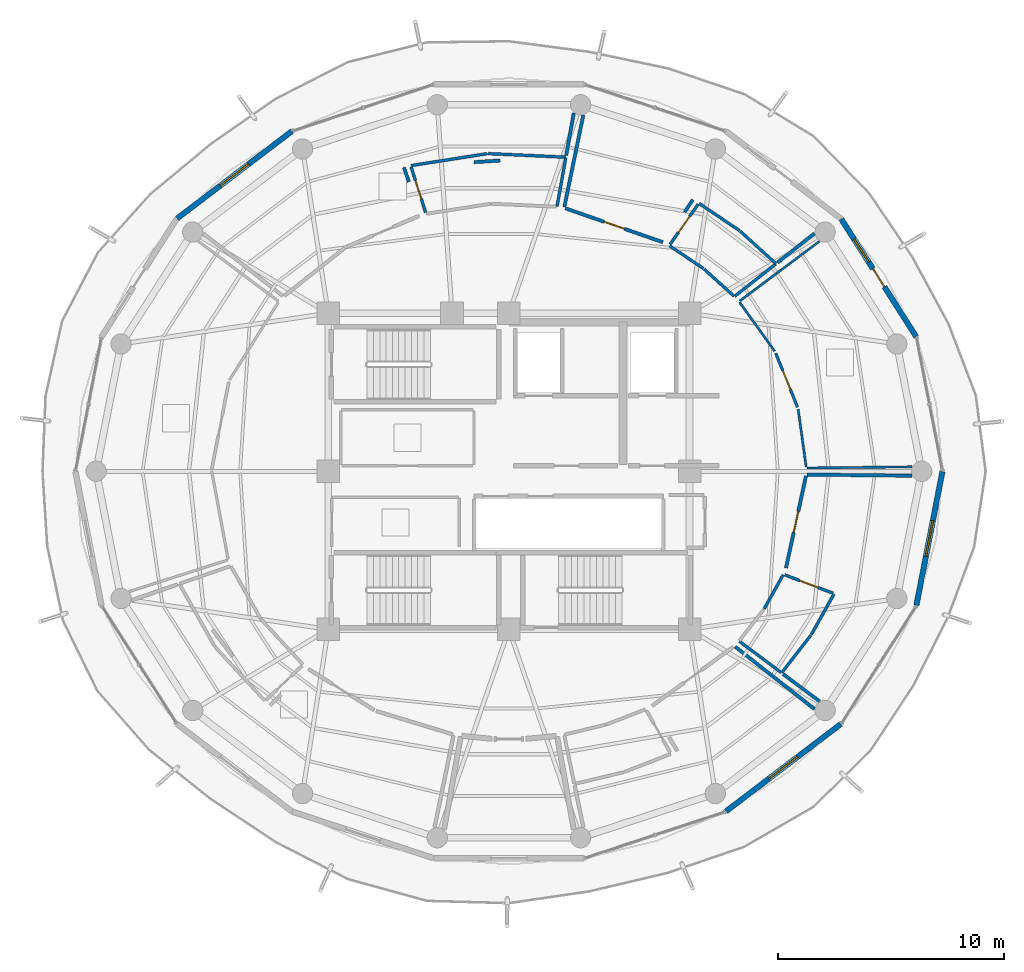
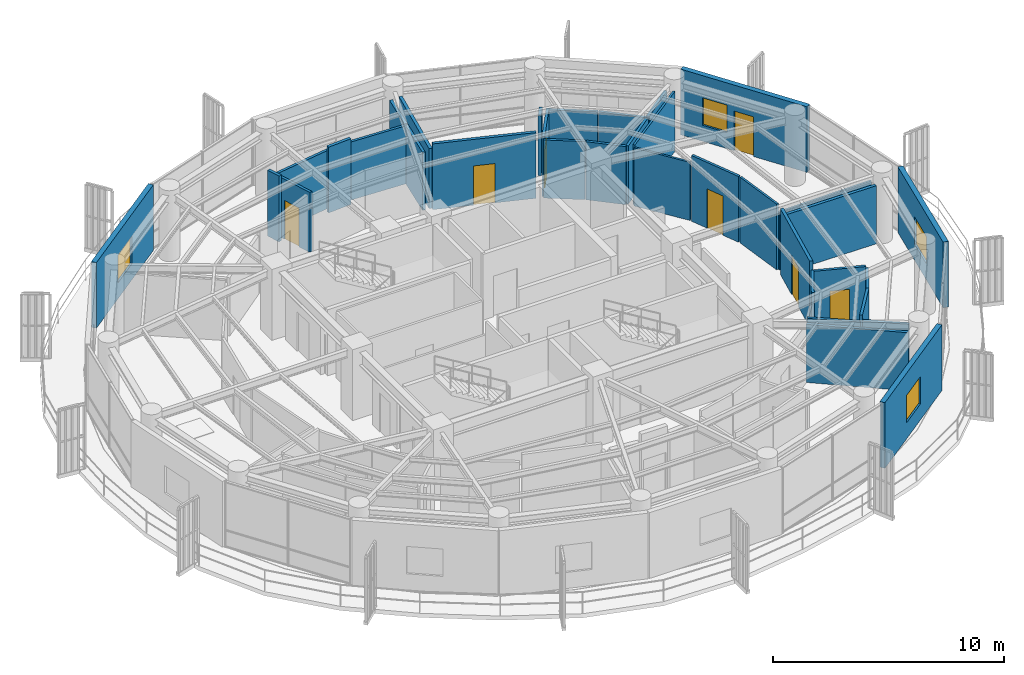
# One storey, part 17 of 22: 35 walls, 7 doors, 4 windows, 11 openings.
"""IFC4 building model written with IfcOpenShell, lengths in metres."""

import ifcopenshell
import ifcopenshell.guid

model = None  # the IFC model being written
_history = None  # IfcOwnerHistory: only IFC2X3 demands one
_inside = {}  # id of a spatial element -> (the spatial element, [elements in it])
_under = {}  # id of a project, library or spatial element -> (it, [spatial elements below it])
_declared = {}  # id of a project -> (the project, [libraries it declares])
_typed = {}  # id of a type object -> (the type object, [elements of that type])
_made_of = {}  # id of a material, layer set ... -> (it, [elements and type objects made of it])


def new_model(schema):
    """Start an empty IFC model of exactly this schema.

    Asked for "IFC4X3", IfcOpenShell would pick the latest addendum, in which some entities
    have other attributes; the version numbers below select the first issue.
    IFC2X3 requires an IfcOwnerHistory on every rooted entity: one is made here for all.
    """
    global model, _history
    if schema == "IFC4X3":
        model = ifcopenshell.file(schema_version=(4, 3, 0, 0))
    else:
        model = ifcopenshell.file(schema=schema)
    _inside.clear()
    _under.clear()
    _declared.clear()
    _typed.clear()
    _made_of.clear()
    _history = None
    if model.schema == "IFC2X3":
        org = make("IfcOrganization", Name="unknown")
        user = make(
            "IfcPersonAndOrganization",
            ThePerson=make("IfcPerson", FamilyName="unknown"),
            TheOrganization=org,
        )
        app = make(
            "IfcApplication",
            ApplicationDeveloper=org,
            Version="unknown",
            ApplicationFullName="unknown",
            ApplicationIdentifier="unknown",
        )
        _history = make(
            "IfcOwnerHistory",
            OwningUser=user,
            OwningApplication=app,
            ChangeAction="ADDED",
            CreationDate=0,
        )
    return model


def make(cls, **values):
    """One entity of the class cls with the attributes given. An attribute that is None is left unset."""
    return model.create_entity(
        cls, **{name: value for name, value in values.items() if value is not None}
    )


def rooted(cls, **values):
    """An entity with a GlobalId (a new one), such as an element, a storey or a relation."""
    return make(cls, GlobalId=ifcopenshell.guid.new(), OwnerHistory=_history, **values)


def si_unit(unit_type, name, prefix=None):
    """IfcSIUnit, for example si_unit("LENGTHUNIT", "METRE", prefix="MILLI")."""
    return make("IfcSIUnit", UnitType=unit_type, Prefix=prefix, Name=name)


def assignment(units):
    """IfcUnitAssignment: the units of a project."""
    return None if units is None else make("IfcUnitAssignment", Units=units)


def point(xyz):
    """IfcCartesianPoint."""
    return None if xyz is None else make("IfcCartesianPoint", Coordinates=xyz)


def direction(xyz):
    """IfcDirection."""
    return None if xyz is None else make("IfcDirection", DirectionRatios=xyz)


def frame(location, z_axis=None, x_axis=None):
    """IfcAxis2Placement3D, a coordinate frame: its origin and axes. An axis left out is left unset."""
    return make(
        "IfcAxis2Placement3D",
        Location=point(location),
        Axis=direction(z_axis),
        RefDirection=direction(x_axis),
    )


def frame_2d(location, x_axis=None):
    """IfcAxis2Placement2D, a coordinate frame in the plane: its origin and x axis."""
    return make(
        "IfcAxis2Placement2D", Location=point(location), RefDirection=direction(x_axis)
    )


def origin():
    """The frame at (0, 0, 0) with its axes left unset."""
    return frame((0.0, 0.0, 0.0))


def place(relative_to, where):
    """IfcLocalPlacement: puts the frame where relative to a parent placement (None: the world)."""
    return make(
        "IfcLocalPlacement", PlacementRelTo=relative_to, RelativePlacement=where
    )


def context(
    kind, dimensions, precision=None, world=None, true_north=None, identifier=None
):
    """IfcGeometricRepresentationContext, for example the 3D "Model" context."""
    return make(
        "IfcGeometricRepresentationContext",
        ContextIdentifier=identifier,
        ContextType=kind,
        CoordinateSpaceDimension=dimensions,
        Precision=precision,
        WorldCoordinateSystem=world,
        TrueNorth=true_north,
    )


def subcontext(parent, identifier, kind, view, scale=None):
    """IfcGeometricRepresentationSubContext, for example "Body" below "Model"."""
    return make(
        "IfcGeometricRepresentationSubContext",
        ContextIdentifier=identifier,
        ContextType=kind,
        ParentContext=parent,
        TargetScale=scale,
        TargetView=view,
    )


def project(units=None, contexts=None):
    """IfcProject with its units and contexts."""
    return rooted(
        "IfcProject",
        Name="project",
        RepresentationContexts=contexts,
        UnitsInContext=assignment(units),
    )


def spatial(cls, under=None, at=None, **own):
    """A site, building, storey or space (cls), placed at a placement, below another one or the project."""
    s = rooted(cls, ObjectPlacement=at, **own)
    if under is not None:
        _under.setdefault(under.id(), (under, []))[1].append(s)
    return s


def profile(cls, at=None, kind="AREA", **sizes):
    """A parametric profile (cls). Its sizes go by their IFC names, for example OverallWidth=200.0."""
    return make(cls, ProfileType=kind, Position=at, **sizes)


def rectangle(**sizes):
    """IfcRectangleProfileDef."""
    return profile("IfcRectangleProfileDef", **sizes)


def extrude(swept, where, along, depth):
    """IfcExtrudedAreaSolid: the profile swept, set in the frame where, extruded along a direction by depth."""
    return make(
        "IfcExtrudedAreaSolid",
        SweptArea=swept,
        Position=where,
        ExtrudedDirection=direction(along),
        Depth=depth,
    )


def shape(context_of_items, identifier, shape_type, items):
    """IfcShapeRepresentation: the items that make up one representation, for example the "Body"."""
    return make(
        "IfcShapeRepresentation",
        ContextOfItems=context_of_items,
        RepresentationIdentifier=identifier,
        RepresentationType=shape_type,
        Items=items,
    )


def material(Name=None, Category=None):
    """IfcMaterial."""
    return make("IfcMaterial", Name=Name, Category=Category)


def layer(
    of_material, thickness, ventilated=None, Name=None, Category=None, Priority=None
):
    """IfcMaterialLayer: one layer of a wall or slab, of a material (None: an air gap)."""
    return make(
        "IfcMaterialLayer",
        Material=of_material,
        LayerThickness=thickness,
        IsVentilated=ventilated,
        Name=Name,
        Category=Category,
        Priority=Priority,
    )


def layer_set(layers, Name=None):
    """IfcMaterialLayerSet."""
    return make("IfcMaterialLayerSet", MaterialLayers=layers, LayerSetName=Name)


def made_of(thing, what):
    """Note that an element or type object is made of a material, layer set ...; save() writes the relation."""
    if what is not None:
        _made_of.setdefault(what.id(), (what, []))[1].append(thing)
    return thing


def type_object(cls, material=None, **own):
    """A type object (cls), such as IfcWallType, which elements share."""
    return made_of(rooted(cls, **own), material)


def element(
    cls,
    number,
    at=None,
    inside=None,
    cuts=None,
    type_object=None,
    material=None,
    context=None,
    identifier="Body",
    shape_type=None,
    held_by="IfcProductDefinitionShape",
    body=None,
    shapes=None,
    **own,
):
    """One element of the class cls, such as IfcWall. Its Tag is "e" and its number.

    at: its placement. inside: the storey or other place that contains it. cuts: it is an
    opening in that element (IfcRelVoidsElement). A single representation is given by context,
    identifier, shape_type and body (its items); several are given by shapes. held_by: the class
    of the entity that holds the representations. save() writes the other relations.
    """
    e = rooted(cls, Tag="e%d" % number, ObjectPlacement=at, **own)
    if body is not None:
        shapes = [shape(context, identifier, shape_type, body)]
    if shapes is not None:
        e.Representation = make(held_by, Representations=shapes)
    if inside is not None:
        _inside.setdefault(inside.id(), (inside, []))[1].append(e)
    if cuts is not None:
        rooted(
            "IfcRelVoidsElement", RelatingBuildingElement=cuts, RelatedOpeningElement=e
        )
    if type_object is not None:
        _typed.setdefault(type_object.id(), (type_object, []))[1].append(e)
    return made_of(e, material)


def fill(opening, filler):
    """IfcRelFillsElement: the door or window that sits in an opening."""
    return rooted(
        "IfcRelFillsElement",
        RelatingOpeningElement=opening,
        RelatedBuildingElement=filler,
    )


def aggregate(whole, parts):
    """IfcRelAggregates: a whole, such as a stair, and the parts it consists of."""
    return rooted("IfcRelAggregates", RelatingObject=whole, RelatedObjects=parts)


def save(model, path):
    """Write the relations noted so far, then the file.

    IfcRelAggregates (storeys below a building ...), IfcRelContainedInSpatialStructure (elements
    in a storey), IfcRelDefinesByType, IfcRelAssociatesMaterial and IfcRelDeclares: one each for
    every whole, place, type object, material and project.
    """
    for whole, parts in _under.values():
        aggregate(whole, parts)
    for where, things in _inside.values():
        rooted(
            "IfcRelContainedInSpatialStructure",
            RelatedElements=things,
            RelatingStructure=where,
        )
    for kind, things in _typed.values():
        rooted("IfcRelDefinesByType", RelatedObjects=things, RelatingType=kind)
    for what, things in _made_of.values():
        rooted("IfcRelAssociatesMaterial", RelatedObjects=things, RelatingMaterial=what)
    for by, libraries in _declared.values():
        rooted("IfcRelDeclares", RelatingContext=by, RelatedDefinitions=libraries)
    model.write(path)


model = new_model("IFC4")

# Units and contexts
model_context = context("Model", 3, precision=1e-05, world=origin(), true_north=direction((0.0, 1.0)))
body_context = subcontext(model_context, "Body", "Model", "MODEL_VIEW")
ifc_project = project(units=[si_unit("LENGTHUNIT", "METRE"), si_unit("AREAUNIT", "SQUARE_METRE"), si_unit("VOLUMEUNIT", "CUBIC_METRE"), si_unit("PLANEANGLEUNIT", "RADIAN"), si_unit("MASSUNIT", "GRAM", prefix="KILO")], contexts=[model_context])

# Site, building, storey
site_placement = place(None, origin())
site = spatial("IfcSite", under=ifc_project, at=site_placement, CompositionType="ELEMENT")
building_placement = place(site_placement, origin())
building = spatial("IfcBuilding", under=site, at=building_placement, Name="Kelanora Arch Commons", CompositionType="ELEMENT")
storey_placement = place(building_placement, frame((0.0, 0.0, 274.949951171875)))
storey = spatial("IfcBuildingStorey", under=building, at=storey_placement, Name="L70", CompositionType="ELEMENT", Elevation=274.949951171875)

# Wall, opening, door
ifc_material_1 = material(Name="Autoclaved aerated concrete blockwork with fire plaster", Category="masonry")
ifc_layer_1 = layer(ifc_material_1, 0.14990234375)
ifc_layer_set_1 = layer_set([ifc_layer_1], Name="Autoclaved aerated concrete blockwork with fire plaster")
wall_type_1 = type_object("IfcWallType", Name="W-COMP-150", PredefinedType="PARTITIONING", material=ifc_layer_set_1)
wall_1_placement = place(storey_placement, frame((86.268798828125, 53.714599609375, 0.0), z_axis=(0.0, 0.0, 1.0), x_axis=(0.212453909159, 0.977171088645, 0.0)))
wall_1 = element("IfcWall", 1, at=wall_1_placement, inside=storey, type_object=wall_type_1, Name="Co-Living Studio L70-02 Entry Partition", PredefinedType="PARTITIONING", context=body_context, shape_type="SweptSolid", body=[
    extrude(rectangle(XDim=4.17724609375, YDim=0.14990234375, at=frame_2d((2.088623046875, 0.0))), origin(), (0.0, 0.0, 1.0), 3.47998046875),
])
opening_1_placement = place(wall_1_placement, frame((1.614013671875, 0.0, 0.0)))
opening_1 = element("IfcOpeningElement", 2, at=opening_1_placement, cuts=wall_1, Name="Opening D-CLU1", PredefinedType="OPENING", context=body_context, shape_type="SweptSolid", body=[
    extrude(rectangle(XDim=0.949951171875, YDim=2.080078125, at=frame_2d((0.47509765625, 1.0400390625))), frame((0.0, 0.0849609375, 0.0), z_axis=(0.0, -1.0, 0.0), x_axis=(1.0, 0.0, 0.0)), (0.0, 0.0, 1.0), 0.169921875),
])
ifc_material_2 = material(Name="Solid-core acoustic timber cluster entry fire door", Category="wood")
door_type_1 = type_object("IfcDoorType", Name="D-CLU-95", OperationType="NOTDEFINED", PredefinedType="DOOR", material=ifc_material_2)
door_1_placement = place(opening_1_placement, origin())
door_1 = element("IfcDoor", 3, at=door_1_placement, inside=storey, type_object=door_type_1, Name="Co-Living Studio L70-02 Door", OperationType="SINGLE_SWING_LEFT", OverallHeight=2.080078125, OverallWidth=0.949951171875, PredefinedType="DOOR", context=body_context, shape_type="SweptSolid", body=[
    extrude(rectangle(XDim=0.949951171875, YDim=2.080078125, at=frame_2d((0.47509765625, 1.0400390625))), frame((0.0, 0.02490234375, 0.0), z_axis=(0.0, -1.0, 0.0), x_axis=(1.0, 0.0, 0.0)), (0.0, 0.0, 1.0), 0.050048828125),
])
fill(opening_1, door_1)

wall_2_placement = place(storey_placement, frame((80.818359375, 68.144775390625, 0.0), z_axis=(0.0, 0.0, 1.0), x_axis=(-0.944627899296, 0.328143462331, 0.0)))
wall_2 = element("IfcWall", 4, at=wall_2_placement, inside=storey, type_object=wall_type_1, Name="Co-Living Studio L70-04 Entry Partition", PredefinedType="PARTITIONING", context=body_context, shape_type="SweptSolid", body=[
    extrude(rectangle(XDim=4.569580078125, YDim=0.14990234375, at=frame_2d((2.28466796875, 0.0))), origin(), (0.0, 0.0, 1.0), 3.47998046875),
])
opening_2_placement = place(wall_2_placement, frame((1.81005859375, 0.0, 0.0)))
opening_2 = element("IfcOpeningElement", 5, at=opening_2_placement, cuts=wall_2, Name="Opening D-CLU1", PredefinedType="OPENING", context=body_context, shape_type="SweptSolid", body=[
    extrude(rectangle(XDim=0.949951171875, YDim=2.080078125, at=frame_2d((0.47509765625, 1.0400390625))), frame((0.0, 0.0849609375, 0.0), z_axis=(0.0, -1.0, 0.0), x_axis=(1.0, 0.0, 0.0)), (0.0, 0.0, 1.0), 0.169921875),
])
door_2_placement = place(opening_2_placement, origin())
door_2 = element("IfcDoor", 6, at=door_2_placement, inside=storey, type_object=door_type_1, Name="Co-Living Studio L70-04 Door", OperationType="SINGLE_SWING_RIGHT", OverallHeight=2.080078125, OverallWidth=0.949951171875, PredefinedType="DOOR", context=body_context, shape_type="SweptSolid", body=[
    extrude(rectangle(XDim=0.949951171875, YDim=2.080078125, at=frame_2d((0.47509765625, 1.0400390625))), frame((0.0, 0.02490234375, 0.0), z_axis=(0.0, -1.0, 0.0), x_axis=(1.0, 0.0, 0.0)), (0.0, 0.0, 1.0), 0.050048828125),
])
fill(opening_2, door_2)

# Walls
wall_3_placement = place(storey_placement, frame((84.016357421875, 50.2353515625, 0.0), z_axis=(0.0, 0.0, 1.0), x_axis=(0.785736749878, -0.618561039745, 0.0)))
element("IfcWall", 7, at=wall_3_placement, inside=storey, type_object=wall_type_1, Name="Co-Living Studio L70-01 Enclosure Partition 2", PredefinedType="PARTITIONING", context=body_context, shape_type="SweptSolid", body=[
    extrude(rectangle(XDim=4.474609375, YDim=0.14990234375, at=frame_2d((2.2373046875, 0.0))), origin(), (0.0, 0.0, 1.0), 3.074951171875),
])
wall_4_placement = place(storey_placement, frame((87.208984375, 57.8544921875, 0.0), z_axis=(0.0, 0.0, 1.0), x_axis=(0.999937174585, -0.01120923205, 0.0)))
element("IfcWall", 8, at=wall_4_placement, inside=storey, type_object=wall_type_1, Name="Co-Living Studio L70-02 Enclosure Partition 2", PredefinedType="PARTITIONING", context=body_context, shape_type="SweptSolid", body=[
    extrude(rectangle(XDim=4.63916015625, YDim=0.14990234375, at=frame_2d((2.319580078125, 0.0))), origin(), (0.0, 0.0, 1.0), 3.074951171875),
])
wall_5_placement = place(storey_placement, frame((87.755615234375, 47.812255859375, 0.0), z_axis=(0.0, 0.0, 1.0), x_axis=(-0.800376717426, 0.599497381314, 0.0)))
element("IfcWall", 9, at=wall_5_placement, inside=storey, type_object=wall_type_1, Name="Co-Living Studio L70-02 Enclosure Partition 5", PredefinedType="PARTITIONING", context=body_context, shape_type="SweptSolid", body=[
    extrude(rectangle(XDim=2.021240234375, YDim=0.14990234375, at=frame_2d((1.0107421875, 0.0))), origin(), (0.0, 0.0, 1.0), 3.235107421875),
])
wall_6_placement = place(storey_placement, frame((76.453125, 69.703125, 0.0), z_axis=(0.0, 0.0, 1.0), x_axis=(0.202308141573, 0.979321916355, 0.0)))
element("IfcWall", 10, at=wall_6_placement, inside=storey, type_object=wall_type_1, Name="Co-Living Studio L70-04 Enclosure Partition 2", PredefinedType="PARTITIONING", context=body_context, shape_type="SweptSolid", body=[
    extrude(rectangle(XDim=4.152587890625, YDim=0.14990234375, at=frame_2d((2.076171875, 0.0))), origin(), (0.0, 0.0, 1.0), 3.175048828125),
])
wall_7_placement = place(storey_placement, frame((87.531982421875, 68.53271484375, 0.0), z_axis=(0.0, 0.0, 1.0), x_axis=(-0.785863630792, -0.618399833278, 0.0)))
element("IfcWall", 11, at=wall_7_placement, inside=storey, type_object=wall_type_1, Name="Co-Living Studio L70-04 Enclosure Partition 5", PredefinedType="PARTITIONING", context=body_context, shape_type="SweptSolid", body=[
    extrude(rectangle(XDim=2.087646484375, YDim=0.14990234375, at=frame_2d((1.0439453125, 0.0))), origin(), (0.0, 0.0, 1.0), 3.074951171875),
])
wall_8_placement = place(storey_placement, frame((82.143798828125, 70.022705078125, 0.0), z_axis=(0.0, 0.0, 1.0), x_axis=(-0.555818041334, -0.831303978655, 0.0)))
element("IfcWall", 12, at=wall_8_placement, inside=storey, type_object=wall_type_1, Name="Co-Living Studio L70-04 Enclosure Partition 7", PredefinedType="PARTITIONING", context=body_context, shape_type="SweptSolid", body=[
    extrude(rectangle(XDim=0.655029296875, YDim=0.14990234375, at=frame_2d((0.32763671875, 0.0))), origin(), (0.0, 0.0, 1.0), 3.175048828125),
])
wall_9_placement = place(storey_placement, frame((76.870849609375, 73.8642578125, 0.0), z_axis=(0.0, 0.0, 1.0), x_axis=(-0.17618059525, -0.984357860667, 0.0)))
element("IfcWall", 13, at=wall_9_placement, inside=storey, type_object=wall_type_1, Name="Co-Living Studio L70-05 Enclosure Partition 6", PredefinedType="PARTITIONING", context=body_context, shape_type="SweptSolid", body=[
    extrude(rectangle(XDim=1.90673828125, YDim=0.14990234375, at=frame_2d((0.953369140625, 0.0))), origin(), (0.0, 0.0, 1.0), 3.074951171875),
])
wall_10_placement = place(storey_placement, frame((73.614501953125, 71.76318359375, 0.0), z_axis=(0.0, 0.0, 1.0), x_axis=(-0.998000282266, -0.063209466038, 0.0)))
element("IfcWall", 14, at=wall_10_placement, inside=storey, type_object=wall_type_1, Name="Co-Living Studio L70-05 Enclosure Partition 7", PredefinedType="PARTITIONING", context=body_context, shape_type="SweptSolid", body=[
    extrude(rectangle(XDim=1.17041015625, YDim=0.14990234375, at=frame_2d((0.585205078125, 0.0))), origin(), (0.0, 0.0, 1.0), 3.47998046875),
])
wall_11_placement = place(storey_placement, frame((69.351806640625, 71.4541015625, 0.0), z_axis=(0.0, 0.0, 1.0), x_axis=(0.322961742759, -0.946412020588, 0.0)))
element("IfcWall", 15, at=wall_11_placement, inside=storey, type_object=wall_type_1, Name="Co-Living Studio L70-05 Enclosure Partition 8", PredefinedType="PARTITIONING", context=body_context, shape_type="SweptSolid", body=[
    extrude(rectangle(XDim=0.673583984375, YDim=0.14990234375, at=frame_2d((0.3369140625, 0.0))), origin(), (0.0, 0.0, 1.0), 3.47998046875),
])

# Wall, openings, door, window
ifc_material_3 = material(Name="Precast concrete C40/50 upper-zone terracotta rainscreen", Category="masonry")
ifc_layer_2 = layer(ifc_material_3, 0.239990234375)
ifc_layer_set_2 = layer_set([ifc_layer_2], Name="Precast concrete C40/50 upper-zone terracotta rainscreen")
wall_type_2 = type_object("IfcWallType", Name="W-EXT-TC2", PredefinedType="SOLIDWALL", material=ifc_layer_set_2)
wall_12_placement = place(storey_placement, frame((92.033935546875, 63.9638671875, 0.0), z_axis=(0.0, 0.0, 1.0), x_axis=(-0.537271968456, 0.843409053728, 0.0)))
wall_12 = element("IfcWall", 16, at=wall_12_placement, inside=storey, type_object=wall_type_2, Name="Terracotta Exterior Wall L70-B01", PredefinedType="SOLIDWALL", context=body_context, shape_type="SweptSolid", body=[
    extrude(rectangle(XDim=6.175048828125, YDim=0.239990234375, at=frame_2d((3.08740234375, 0.0))), origin(), (0.0, 0.0, 1.0), 3.47509765625),
])
opening_3_placement = place(wall_12_placement, frame((2.613037109375, 0.0, 0.0)))
opening_3 = element("IfcOpeningElement", 17, at=opening_3_placement, cuts=wall_12, Name="Opening DB-01", PredefinedType="OPENING", context=body_context, shape_type="SweptSolid", body=[
    extrude(rectangle(XDim=0.949951171875, YDim=2.10009765625, at=frame_2d((0.47509765625, 1.050048828125))), frame((0.0, 0.1298828125, 0.0), z_axis=(0.0, -1.0, 0.0), x_axis=(1.0, 0.0, 0.0)), (0.0, 0.0, 1.0), 0.260009765625),
])
opening_4_placement = place(wall_12_placement, frame((3.9130859375, 0.0, 0.85009765625)))
opening_4 = element("IfcOpeningElement", 18, at=opening_4_placement, cuts=wall_12, Name="Opening WN-02", PredefinedType="OPENING", context=body_context, shape_type="SweptSolid", body=[
    extrude(rectangle(XDim=1.199951171875, YDim=1.449951171875, at=frame_2d((0.60009765625, 0.72509765625))), frame((0.0, 0.1298828125, 0.0), z_axis=(0.0, -1.0, 0.0), x_axis=(1.0, 0.0, 0.0)), (0.0, 0.0, 1.0), 0.260009765625),
])
ifc_material_4 = material(Name="Terracotta-aluminium thermally broken glazed balcony door", Category="masonry")
door_type_2 = type_object("IfcDoorType", Name="D-BAL-10", OperationType="NOTDEFINED", PredefinedType="DOOR", material=ifc_material_4)
door_3_placement = place(opening_3_placement, frame((0.949951171875, 0.0, 0.0), z_axis=(0.0, 0.0, 1.0), x_axis=(-1.0, 0.0, 0.0)))
door_3 = element("IfcDoor", 19, at=door_3_placement, inside=storey, type_object=door_type_2, Name="Wave Balcony Door L70-B01", OperationType="SINGLE_SWING_RIGHT", OverallHeight=2.10009765625, OverallWidth=0.949951171875, PredefinedType="DOOR", context=body_context, shape_type="SweptSolid", body=[
    extrude(rectangle(XDim=0.949951171875, YDim=2.10009765625, at=frame_2d((0.47509765625, 1.050048828125))), frame((0.0, 0.02490234375, 0.0), z_axis=(0.0, -1.0, 0.0), x_axis=(1.0, 0.0, 0.0)), (0.0, 0.0, 1.0), 0.050048828125),
])
fill(opening_3, door_3)
ifc_material_5 = material(Name="Terracotta-anodised aluminium frame with operable awning sash", Category="masonry")
window_type_1 = type_object("IfcWindowType", Name="WIN-CL-12", PartitioningType="SINGLE_PANEL", PredefinedType="WINDOW", material=ifc_material_5)
window_1_placement = place(opening_4_placement, origin())
window_1 = element("IfcWindow", 20, at=window_1_placement, inside=storey, type_object=window_type_1, Name="Co-Living Operable Window L70-B01", OverallHeight=1.449951171875, OverallWidth=1.199951171875, PartitioningType="SINGLE_PANEL", PredefinedType="WINDOW", context=body_context, shape_type="SweptSolid", body=[
    extrude(rectangle(XDim=1.199951171875, YDim=1.449951171875, at=frame_2d((0.60009765625, 0.72509765625))), frame((0.0, 0.030029296875, 0.0), z_axis=(0.0, -1.0, 0.0), x_axis=(1.0, 0.0, 0.0)), (0.0, 0.0, 1.0), 0.06005859375),
])
fill(opening_4, window_1)

# Wall, opening, window
wall_13_placement = place(storey_placement, frame((64.38818359375, 73.059814453125, 0.0), z_axis=(0.0, 0.0, 1.0), x_axis=(-0.796010444211, -0.605282886514, 0.0)))
wall_13 = element("IfcWall", 21, at=wall_13_placement, inside=storey, type_object=wall_type_2, Name="Terracotta Exterior Wall L70-B06", PredefinedType="SOLIDWALL", context=body_context, shape_type="SweptSolid", body=[
    extrude(rectangle(XDim=6.387451171875, YDim=0.239990234375, at=frame_2d((3.19384765625, 0.0))), origin(), (0.0, 0.0, 1.0), 3.47509765625),
])
opening_5_placement = place(wall_13_placement, frame((2.39404296875, 0.0, 0.85009765625)))
opening_5 = element("IfcOpeningElement", 22, at=opening_5_placement, cuts=wall_13, Name="Opening WN-01", PredefinedType="OPENING", context=body_context, shape_type="SweptSolid", body=[
    extrude(rectangle(XDim=1.60009765625, YDim=1.449951171875, at=frame_2d((0.800048828125, 0.72509765625))), frame((0.0, 0.1298828125, 0.0), z_axis=(0.0, -1.0, 0.0), x_axis=(1.0, 0.0, 0.0)), (0.0, 0.0, 1.0), 0.260009765625),
])
ifc_material_6 = material(Name="Terracotta-anodised aluminium frame with operable low-E glazing", Category="masonry")
window_type_2 = type_object("IfcWindowType", Name="WIN-CL-18", PartitioningType="DOUBLE_PANEL_VERTICAL", PredefinedType="WINDOW", material=ifc_material_6)
window_2_placement = place(opening_5_placement, origin())
window_2 = element("IfcWindow", 23, at=window_2_placement, inside=storey, type_object=window_type_2, Name="Co-Living Operable Window L70-B06", OverallHeight=1.449951171875, OverallWidth=1.60009765625, PartitioningType="SINGLE_PANEL", PredefinedType="WINDOW", context=body_context, shape_type="SweptSolid", body=[
    extrude(rectangle(XDim=1.60009765625, YDim=1.449951171875, at=frame_2d((0.800048828125, 0.72509765625))), frame((0.0, 0.030029296875, 0.0), z_axis=(0.0, -1.0, 0.0), x_axis=(1.0, 0.0, 0.0)), (0.0, 0.0, 1.0), 0.06005859375),
])
fill(opening_5, window_2)

wall_14_placement = place(storey_placement, frame((83.61181640625, 42.940185546875, 0.0), z_axis=(0.0, 0.0, 1.0), x_axis=(0.796010444211, 0.605282886514, 0.0)))
wall_14 = element("IfcWall", 24, at=wall_14_placement, inside=storey, type_object=wall_type_2, Name="Terracotta Exterior Wall L70-B15", PredefinedType="SOLIDWALL", context=body_context, shape_type="SweptSolid", body=[
    extrude(rectangle(XDim=6.387451171875, YDim=0.239990234375, at=frame_2d((3.19384765625, 0.0))), origin(), (0.0, 0.0, 1.0), 3.47509765625),
])
opening_6_placement = place(wall_14_placement, frame((2.39404296875, 0.0, 0.85009765625)))
opening_6 = element("IfcOpeningElement", 25, at=opening_6_placement, cuts=wall_14, Name="Opening WN-01", PredefinedType="OPENING", context=body_context, shape_type="SweptSolid", body=[
    extrude(rectangle(XDim=1.60009765625, YDim=1.449951171875, at=frame_2d((0.800048828125, 0.72509765625))), frame((0.0, 0.1298828125, 0.0), z_axis=(0.0, -1.0, 0.0), x_axis=(1.0, 0.0, 0.0)), (0.0, 0.0, 1.0), 0.260009765625),
])
window_3_placement = place(opening_6_placement, origin())
window_3 = element("IfcWindow", 26, at=window_3_placement, inside=storey, type_object=window_type_2, Name="Co-Living Operable Window L70-B15", OverallHeight=1.449951171875, OverallWidth=1.60009765625, PartitioningType="SINGLE_PANEL", PredefinedType="WINDOW", context=body_context, shape_type="SweptSolid", body=[
    extrude(rectangle(XDim=1.60009765625, YDim=1.449951171875, at=frame_2d((0.800048828125, 0.72509765625))), frame((0.0, 0.030029296875, 0.0), z_axis=(0.0, -1.0, 0.0), x_axis=(1.0, 0.0, 0.0)), (0.0, 0.0, 1.0), 0.06005859375),
])
fill(opening_6, window_3)

wall_15_placement = place(storey_placement, frame((92.044921875, 52.0634765625, 0.0), z_axis=(0.0, 0.0, 1.0), x_axis=(0.190969309115, 0.981596008028, 0.0)))
wall_15 = element("IfcWall", 27, at=wall_15_placement, inside=storey, type_object=wall_type_2, Name="Terracotta Exterior Wall L70-B17", PredefinedType="SOLIDWALL", context=body_context, shape_type="SweptSolid", body=[
    extrude(rectangle(XDim=6.032958984375, YDim=0.239990234375, at=frame_2d((3.0166015625, 0.0))), origin(), (0.0, 0.0, 1.0), 3.47509765625),
])
opening_7_placement = place(wall_15_placement, frame((2.216064453125, 0.0, 0.85009765625)))
opening_7 = element("IfcOpeningElement", 28, at=opening_7_placement, cuts=wall_15, Name="Opening WN-01", PredefinedType="OPENING", context=body_context, shape_type="SweptSolid", body=[
    extrude(rectangle(XDim=1.60009765625, YDim=1.449951171875, at=frame_2d((0.800048828125, 0.72509765625))), frame((0.0, 0.1298828125, 0.0), z_axis=(0.0, -1.0, 0.0), x_axis=(1.0, 0.0, 0.0)), (0.0, 0.0, 1.0), 0.260009765625),
])
window_4_placement = place(opening_7_placement, origin())
window_4 = element("IfcWindow", 29, at=window_4_placement, inside=storey, type_object=window_type_2, Name="Co-Living Operable Window L70-B17", OverallHeight=1.449951171875, OverallWidth=1.60009765625, PartitioningType="SINGLE_PANEL", PredefinedType="WINDOW", context=body_context, shape_type="SweptSolid", body=[
    extrude(rectangle(XDim=1.60009765625, YDim=1.449951171875, at=frame_2d((0.800048828125, 0.72509765625))), frame((0.0, 0.030029296875, 0.0), z_axis=(0.0, -1.0, 0.0), x_axis=(1.0, 0.0, 0.0)), (0.0, 0.0, 1.0), 0.06005859375),
])
fill(opening_7, window_4)

# Walls
ifc_material_7 = material(Name="Lightweight fire-rated acoustic stud partition")
ifc_layer_3 = layer(ifc_material_7, 0.10009765625)
ifc_layer_set_3 = layer_set([ifc_layer_3], Name="Lightweight fire-rated acoustic stud partition")
wall_type_3 = type_object("IfcWallType", Name="W-PART-100", PredefinedType="PARTITIONING", material=ifc_layer_set_3)
wall_16_placement = place(storey_placement, frame((87.16357421875, 58.1845703125, 0.0), z_axis=(0.0, 0.0, 1.0), x_axis=(-0.137359832701, 0.990521214493, 0.0)))
element("IfcWall", 30, at=wall_16_placement, inside=storey, type_object=wall_type_3, Name="Social Sky Lounge L70-03 Enclosure Partition 1", PredefinedType="PARTITIONING", context=body_context, shape_type="SweptSolid", body=[
    extrude(rectangle(XDim=2.584228515625, YDim=0.10009765625, at=frame_2d((1.2919921875, 0.0))), origin(), (0.0, 0.0, 1.0), 3.47998046875),
])
wall_17_placement = place(storey_placement, frame((85.769775390625, 63.31640625, 0.0), z_axis=(0.0, 0.0, 1.0), x_axis=(-0.582725386778, 0.812669135383, 0.0)))
element("IfcWall", 31, at=wall_17_placement, inside=storey, type_object=wall_type_3, Name="Social Sky Lounge L70-03 Enclosure Partition 3", PredefinedType="PARTITIONING", context=body_context, shape_type="SweptSolid", body=[
    extrude(rectangle(XDim=2.669189453125, YDim=0.10009765625, at=frame_2d((1.33447265625, 0.0))), origin(), (0.0, 0.0, 1.0), 3.074951171875),
])
wall_18_placement = place(storey_placement, frame((84.222900390625, 65.5419921875, 0.0), z_axis=(0.0, 0.0, 1.0), x_axis=(0.800384816546, 0.599486568191, 0.0)))
element("IfcWall", 32, at=wall_18_placement, inside=storey, type_object=wall_type_3, Name="Social Sky Lounge L70-03 Enclosure Partition 4", PredefinedType="PARTITIONING", context=body_context, shape_type="SweptSolid", body=[
    extrude(rectangle(XDim=4.413818359375, YDim=0.10009765625, at=frame_2d((2.20703125, 0.0))), origin(), (0.0, 0.0, 1.0), 3.175048828125),
])
wall_19_placement = place(storey_placement, frame((91.847900390625, 58.197509765625, 0.0), z_axis=(0.0, 0.0, 1.0), x_axis=(-0.999937174585, -0.01120923205, 0.0)))
element("IfcWall", 33, at=wall_19_placement, inside=storey, type_object=wall_type_3, Name="Social Sky Lounge L70-03 Enclosure Partition 8", PredefinedType="PARTITIONING", context=body_context, shape_type="SweptSolid", body=[
    extrude(rectangle(XDim=4.63916015625, YDim=0.10009765625, at=frame_2d((2.319580078125, 0.0))), origin(), (0.0, 0.0, 1.0), 3.074951171875),
])

# Wall, opening, door
ifc_material_8 = material(Name="Acoustic twin-stud fire-rated gypsum partition")
ifc_layer_4 = layer(ifc_material_8, 0.1201171875)
ifc_layer_set_4 = layer_set([ifc_layer_4], Name="Acoustic twin-stud fire-rated gypsum partition")
wall_type_4 = type_object("IfcWallType", Name="W-PART-120", PredefinedType="PARTITIONING", material=ifc_layer_set_4)
wall_20_placement = place(storey_placement, frame((86.780517578125, 60.839599609375, 0.0), z_axis=(0.0, 0.0, 1.0), x_axis=(-0.374574284654, 0.927196907499, 0.0)))
wall_20 = element("IfcWall", 34, at=wall_20_placement, inside=storey, type_object=wall_type_4, Name="Social Sky Lounge L70-03 Entry Partition", PredefinedType="PARTITIONING", context=body_context, shape_type="SweptSolid", body=[
    extrude(rectangle(XDim=2.576416015625, YDim=0.1201171875, at=frame_2d((1.2880859375, 0.0))), origin(), (0.0, 0.0, 1.0), 3.47998046875),
])
opening_8_placement = place(wall_20_placement, frame((0.837890625, 0.0, 0.0)))
opening_8 = element("IfcOpeningElement", 35, at=opening_8_placement, cuts=wall_20, Name="Opening D-RM1", PredefinedType="OPENING", context=body_context, shape_type="SweptSolid", body=[
    extrude(rectangle(XDim=0.89990234375, YDim=2.080078125, at=frame_2d((0.449951171875, 1.0400390625))), frame((0.0, 0.070068359375, 0.0), z_axis=(0.0, -1.0, 0.0), x_axis=(1.0, 0.0, 0.0)), (0.0, 0.0, 1.0), 0.14013671875),
])
ifc_material_9 = material(Name="Acoustic fire-rated timber study and lounge door", Category="wood")
door_type_3 = type_object("IfcDoorType", Name="D-ROOM-90", OperationType="NOTDEFINED", PredefinedType="DOOR", material=ifc_material_9)
door_4_placement = place(opening_8_placement, origin())
door_4 = element("IfcDoor", 36, at=door_4_placement, inside=storey, type_object=door_type_3, Name="Social Sky Lounge L70-03 Door", OperationType="SINGLE_SWING_RIGHT", OverallHeight=2.080078125, OverallWidth=0.89990234375, PredefinedType="DOOR", context=body_context, shape_type="SweptSolid", body=[
    extrude(rectangle(XDim=0.89990234375, YDim=2.080078125, at=frame_2d((0.449951171875, 1.0400390625))), frame((0.0, 0.02490234375, 0.0), z_axis=(0.0, -1.0, 0.0), x_axis=(1.0, 0.0, 0.0)), (0.0, 0.0, 1.0), 0.050048828125),
])
fill(opening_8, door_4)

ifc_material_10 = material(Name="Moisture-resistant fire-rated cement-board plumbing wall")
ifc_layer_5 = layer(ifc_material_10, 0.1298828125)
ifc_layer_set_5 = layer_set([ifc_layer_5], Name="Moisture-resistant fire-rated cement-board plumbing wall")
wall_type_5 = type_object("IfcWallType", Name="W-WET-120", PredefinedType="PLUMBINGWALL", material=ifc_layer_set_5)
wall_21_placement = place(storey_placement, frame((86.213134765625, 53.413818359375, 0.0), z_axis=(0.0, 0.0, 1.0), x_axis=(0.934596057468, -0.355710850784, 0.0)))
wall_21 = element("IfcWall", 37, at=wall_21_placement, inside=storey, type_object=wall_type_5, Name="En-Suite Shower WC L70-02 Entry Partition", PredefinedType="PLUMBINGWALL", context=body_context, shape_type="SweptSolid", body=[
    extrude(rectangle(XDim=2.2841796875, YDim=0.1298828125, at=frame_2d((1.14208984375, 0.0))), origin(), (0.0, 0.0, 1.0), 3.175048828125),
])
opening_9_placement = place(wall_21_placement, frame((0.7119140625, 0.0, 0.0)))
opening_9 = element("IfcOpeningElement", 38, at=opening_9_placement, cuts=wall_21, Name="Opening D-BT1", PredefinedType="OPENING", context=body_context, shape_type="SweptSolid", body=[
    extrude(rectangle(XDim=0.860107421875, YDim=2.050048828125, at=frame_2d((0.43017578125, 1.02490234375))), frame((0.0, 0.074951171875, 0.0), z_axis=(0.0, -1.0, 0.0), x_axis=(1.0, 0.0, 0.0)), (0.0, 0.0, 1.0), 0.14990234375),
])
ifc_material_11 = material(Name="Moisture-sealed fire-rated accessible bathroom door")
door_type_4 = type_object("IfcDoorType", Name="D-BATH-85", OperationType="NOTDEFINED", PredefinedType="DOOR", material=ifc_material_11)
door_5_placement = place(opening_9_placement, origin())
door_5 = element("IfcDoor", 39, at=door_5_placement, inside=storey, type_object=door_type_4, Name="En-Suite Shower WC L70-02 Door", OperationType="SINGLE_SWING_RIGHT", OverallHeight=2.050048828125, OverallWidth=0.860107421875, PredefinedType="DOOR", context=body_context, shape_type="SweptSolid", body=[
    extrude(rectangle(XDim=0.860107421875, YDim=2.050048828125, at=frame_2d((0.43017578125, 1.02490234375))), frame((0.0, 0.02490234375, 0.0), z_axis=(0.0, -1.0, 0.0), x_axis=(1.0, 0.0, 0.0)), (0.0, 0.0, 1.0), 0.050048828125),
])
fill(opening_9, door_5)

wall_22_placement = place(storey_placement, frame((81.13330078125, 68.047119140625, 0.0), z_axis=(0.0, 0.0, 1.0), x_axis=(0.573764741577, 0.81902015929, 0.0)))
wall_22 = element("IfcWall", 40, at=wall_22_placement, inside=storey, type_object=wall_type_5, Name="En-Suite Shower WC L70-04 Entry Partition", PredefinedType="PLUMBINGWALL", context=body_context, shape_type="SweptSolid", body=[
    extrude(rectangle(XDim=2.1669921875, YDim=0.1298828125, at=frame_2d((1.08349609375, 0.0))), origin(), (0.0, 0.0, 1.0), 3.175048828125),
])
opening_10_placement = place(wall_22_placement, frame((0.653076171875, 0.0, 0.0)))
opening_10 = element("IfcOpeningElement", 41, at=opening_10_placement, cuts=wall_22, Name="Opening D-BT1", PredefinedType="OPENING", context=body_context, shape_type="SweptSolid", body=[
    extrude(rectangle(XDim=0.860107421875, YDim=2.050048828125, at=frame_2d((0.43017578125, 1.02490234375))), frame((0.0, 0.074951171875, 0.0), z_axis=(0.0, -1.0, 0.0), x_axis=(1.0, 0.0, 0.0)), (0.0, 0.0, 1.0), 0.14990234375),
])
door_6_placement = place(opening_10_placement, origin())
door_6 = element("IfcDoor", 42, at=door_6_placement, inside=storey, type_object=door_type_4, Name="En-Suite Shower WC L70-04 Door", OperationType="SINGLE_SWING_LEFT", OverallHeight=2.050048828125, OverallWidth=0.860107421875, PredefinedType="DOOR", context=body_context, shape_type="SweptSolid", body=[
    extrude(rectangle(XDim=0.860107421875, YDim=2.050048828125, at=frame_2d((0.43017578125, 1.02490234375))), frame((0.0, 0.02490234375, 0.0), z_axis=(0.0, -1.0, 0.0), x_axis=(1.0, 0.0, 0.0)), (0.0, 0.0, 1.0), 0.050048828125),
])
fill(opening_10, door_6)

wall_23_placement = place(storey_placement, frame((70.310791015625, 69.457275390625, 0.0), z_axis=(0.0, 0.0, 1.0), x_axis=(-0.302652199947, 0.953101068023, 0.0)))
wall_23 = element("IfcWall", 43, at=wall_23_placement, inside=storey, type_object=wall_type_5, Name="En-Suite Shower WC L70-05 Entry Partition", PredefinedType="PLUMBINGWALL", context=body_context, shape_type="SweptSolid", body=[
    extrude(rectangle(XDim=2.119873046875, YDim=0.1298828125, at=frame_2d((1.06005859375, 0.0))), origin(), (0.0, 0.0, 1.0), 3.175048828125),
])
opening_11_placement = place(wall_23_placement, frame((0.6298828125, 0.0, 0.0)))
opening_11 = element("IfcOpeningElement", 44, at=opening_11_placement, cuts=wall_23, Name="Opening D-BT1", PredefinedType="OPENING", context=body_context, shape_type="SweptSolid", body=[
    extrude(rectangle(XDim=0.860107421875, YDim=2.050048828125, at=frame_2d((0.43017578125, 1.02490234375))), frame((0.0, 0.074951171875, 0.0), z_axis=(0.0, -1.0, 0.0), x_axis=(1.0, 0.0, 0.0)), (0.0, 0.0, 1.0), 0.14990234375),
])
door_7_placement = place(opening_11_placement, origin())
door_7 = element("IfcDoor", 45, at=door_7_placement, inside=storey, type_object=door_type_4, Name="En-Suite Shower WC L70-05 Door", OperationType="SINGLE_SWING_LEFT", OverallHeight=2.050048828125, OverallWidth=0.860107421875, PredefinedType="DOOR", context=body_context, shape_type="SweptSolid", body=[
    extrude(rectangle(XDim=0.860107421875, YDim=2.050048828125, at=frame_2d((0.43017578125, 1.02490234375))), frame((0.0, 0.02490234375, 0.0), z_axis=(0.0, -1.0, 0.0), x_axis=(1.0, 0.0, 0.0)), (0.0, 0.0, 1.0), 0.050048828125),
])
fill(opening_11, door_7)

# Walls
wall_24_placement = place(storey_placement, frame((85.3037109375, 51.911376953125, 0.0), z_axis=(0.0, 0.0, 1.0), x_axis=(0.488642128311, 0.872484309566, 0.0)))
element("IfcWall", 46, at=wall_24_placement, inside=storey, type_object=wall_type_5, Name="En-Suite Shower WC L70-02 Enclosure Partition 2", PredefinedType="PLUMBINGWALL", context=body_context, shape_type="SweptSolid", body=[
    extrude(rectangle(XDim=1.726318359375, YDim=0.1298828125, at=frame_2d((0.86328125, 0.0))), origin(), (0.0, 0.0, 1.0), 3.235107421875),
])
wall_25_placement = place(storey_placement, frame((88.394287109375, 52.5625, 0.0), z_axis=(0.0, 0.0, 1.0), x_axis=(-0.487959720546, -0.872866147313, 0.0)))
element("IfcWall", 47, at=wall_25_placement, inside=storey, type_object=wall_type_5, Name="En-Suite Shower WC L70-02 Enclosure Partition 4", PredefinedType="PLUMBINGWALL", context=body_context, shape_type="SweptSolid", body=[
    extrude(rectangle(XDim=2.056396484375, YDim=0.1298828125, at=frame_2d((1.0283203125, 0.0))), origin(), (0.0, 0.0, 1.0), 3.074951171875),
])
wall_26_placement = place(storey_placement, frame((87.36865234375, 50.734130859375, 0.0), z_axis=(0.0, 0.0, 1.0), x_axis=(-0.614418714287, -0.788980128732, 0.0)))
element("IfcWall", 48, at=wall_26_placement, inside=storey, type_object=wall_type_5, Name="En-Suite Shower WC L70-02 Enclosure Partition 5", PredefinedType="PLUMBINGWALL", context=body_context, shape_type="SweptSolid", body=[
    extrude(rectangle(XDim=2.085205078125, YDim=0.1298828125, at=frame_2d((1.04248046875, 0.0))), origin(), (0.0, 0.0, 1.0), 3.47998046875),
])
wall_27_placement = place(storey_placement, frame((86.05908203125, 49.0849609375, 0.0), z_axis=(0.0, 0.0, 1.0), x_axis=(-0.800835318147, 0.598884624288, 0.0)))
element("IfcWall", 49, at=wall_27_placement, inside=storey, type_object=wall_type_5, Name="En-Suite Shower WC L70-02 Enclosure Partition 6", PredefinedType="PLUMBINGWALL", context=body_context, shape_type="SweptSolid", body=[
    extrude(rectangle(XDim=2.312744140625, YDim=0.1298828125, at=frame_2d((1.15625, 0.0))), origin(), (0.0, 0.0, 1.0), 3.175048828125),
])
wall_28_placement = place(storey_placement, frame((83.97021484375, 65.75341796875, 0.0), z_axis=(0.0, 0.0, 1.0), x_axis=(-0.741337974143, 0.671131885767, 0.0)))
element("IfcWall", 50, at=wall_28_placement, inside=storey, type_object=wall_type_5, Name="En-Suite Shower WC L70-04 Enclosure Partition 1", PredefinedType="PLUMBINGWALL", context=body_context, shape_type="SweptSolid", body=[
    extrude(rectangle(XDim=1.783935546875, YDim=0.1298828125, at=frame_2d((0.89208984375, 0.0))), origin(), (0.0, 0.0, 1.0), 3.074951171875),
])
wall_29_placement = place(storey_placement, frame((82.616455078125, 66.97509765625, 0.0), z_axis=(0.0, 0.0, 1.0), x_axis=(-0.82921750612, 0.558926048367, 0.0)))
element("IfcWall", 51, at=wall_29_placement, inside=storey, type_object=wall_type_5, Name="En-Suite Shower WC L70-04 Enclosure Partition 2", PredefinedType="PLUMBINGWALL", context=body_context, shape_type="SweptSolid", body=[
    extrude(rectangle(XDim=1.81005859375, YDim=0.1298828125, at=frame_2d((0.905029296875, 0.0))), origin(), (0.0, 0.0, 1.0), 3.074951171875),
])
wall_30_placement = place(storey_placement, frame((82.427490234375, 69.85986328125, 0.0), z_axis=(0.0, 0.0, 1.0), x_axis=(0.828897302699, -0.559400805843, 0.0)))
element("IfcWall", 52, at=wall_30_placement, inside=storey, type_object=wall_type_5, Name="En-Suite Shower WC L70-04 Enclosure Partition 4", PredefinedType="PLUMBINGWALL", context=body_context, shape_type="SweptSolid", body=[
    extrude(rectangle(XDim=2.1533203125, YDim=0.1298828125, at=frame_2d((1.07666015625, 0.0))), origin(), (0.0, 0.0, 1.0), 3.074951171875),
])
wall_31_placement = place(storey_placement, frame((84.243896484375, 68.630615234375, 0.0), z_axis=(0.0, 0.0, 1.0), x_axis=(0.740450028949, -0.672111415339, 0.0)))
element("IfcWall", 53, at=wall_31_placement, inside=storey, type_object=wall_type_5, Name="En-Suite Shower WC L70-04 Enclosure Partition 5", PredefinedType="PLUMBINGWALL", context=body_context, shape_type="SweptSolid", body=[
    extrude(rectangle(XDim=2.1220703125, YDim=0.1298828125, at=frame_2d((1.06103515625, 0.0))), origin(), (0.0, 0.0, 1.0), 3.074951171875),
])
wall_32_placement = place(storey_placement, frame((85.814208984375, 67.1787109375, 0.0), z_axis=(0.0, 0.0, 1.0), x_axis=(-0.786024493366, -0.618195354098, 0.0)))
element("IfcWall", 54, at=wall_32_placement, inside=storey, type_object=wall_type_5, Name="En-Suite Shower WC L70-04 Enclosure Partition 6", PredefinedType="PLUMBINGWALL", context=body_context, shape_type="SweptSolid", body=[
    extrude(rectangle(XDim=2.30712890625, YDim=0.1298828125, at=frame_2d((1.153564453125, 0.0))), origin(), (0.0, 0.0, 1.0), 3.074951171875),
])
wall_33_placement = place(storey_placement, frame((69.6708984375, 71.5380859375, 0.0), z_axis=(0.0, 0.0, 1.0), x_axis=(0.987971430303, 0.154636518665, 0.0)))
element("IfcWall", 55, at=wall_33_placement, inside=storey, type_object=wall_type_5, Name="En-Suite Shower WC L70-05 Enclosure Partition 4", PredefinedType="PLUMBINGWALL", context=body_context, shape_type="SweptSolid", body=[
    extrude(rectangle(XDim=3.413330078125, YDim=0.1298828125, at=frame_2d((1.70654296875, 0.0))), origin(), (0.0, 0.0, 1.0), 3.074951171875),
])
wall_34_placement = place(storey_placement, frame((73.0830078125, 72.068115234375, 0.0), z_axis=(0.0, 0.0, 1.0), x_axis=(0.998931144294, -0.046223034954, 0.0)))
element("IfcWall", 56, at=wall_34_placement, inside=storey, type_object=wall_type_5, Name="En-Suite Shower WC L70-05 Enclosure Partition 5", PredefinedType="PLUMBINGWALL", context=body_context, shape_type="SweptSolid", body=[
    extrude(rectangle(XDim=3.422607421875, YDim=0.1298828125, at=frame_2d((1.71142578125, 0.0))), origin(), (0.0, 0.0, 1.0), 3.074951171875),
])
wall_35_placement = place(storey_placement, frame((76.5185546875, 71.889404296875, 0.0), z_axis=(0.0, 0.0, 1.0), x_axis=(-0.176677907616, -0.984268721925, 0.0)))
element("IfcWall", 57, at=wall_35_placement, inside=storey, type_object=wall_type_5, Name="En-Suite Shower WC L70-05 Enclosure Partition 6", PredefinedType="PLUMBINGWALL", context=body_context, shape_type="SweptSolid", body=[
    extrude(rectangle(XDim=2.190185546875, YDim=0.1298828125, at=frame_2d((1.09521484375, 0.0))), origin(), (0.0, 0.0, 1.0), 3.074951171875),
])

save(model, "model.ifc")
